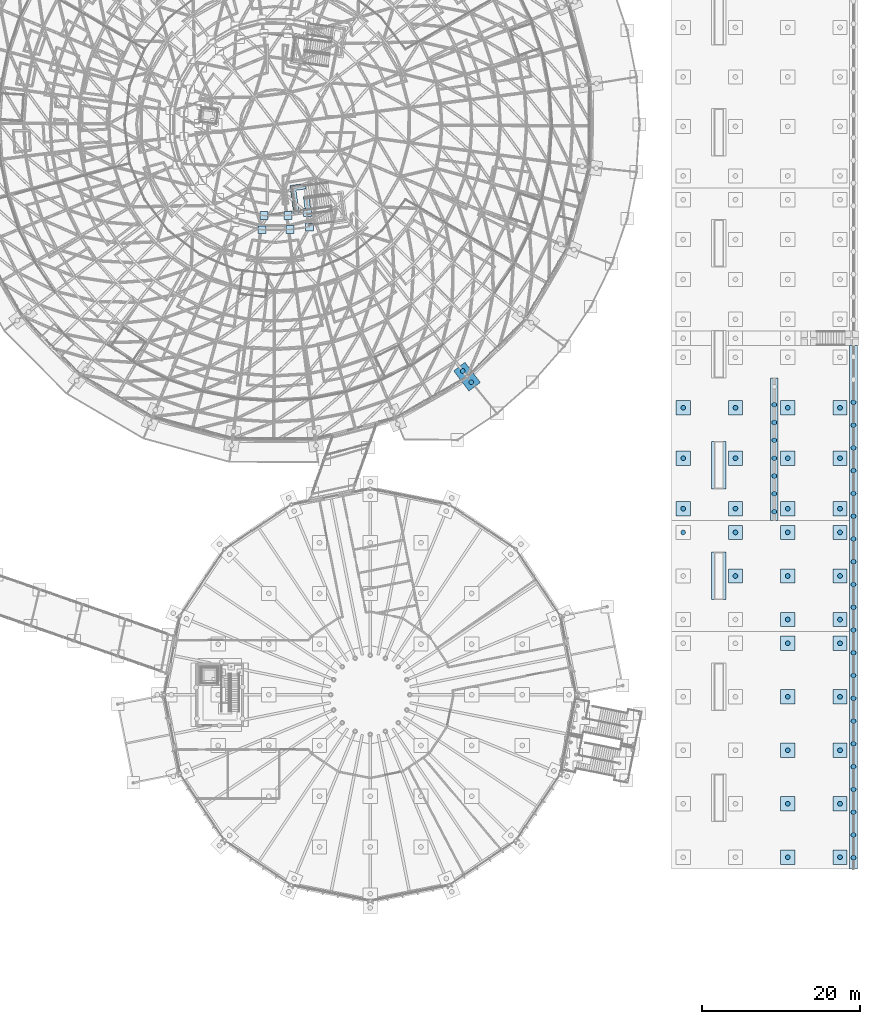
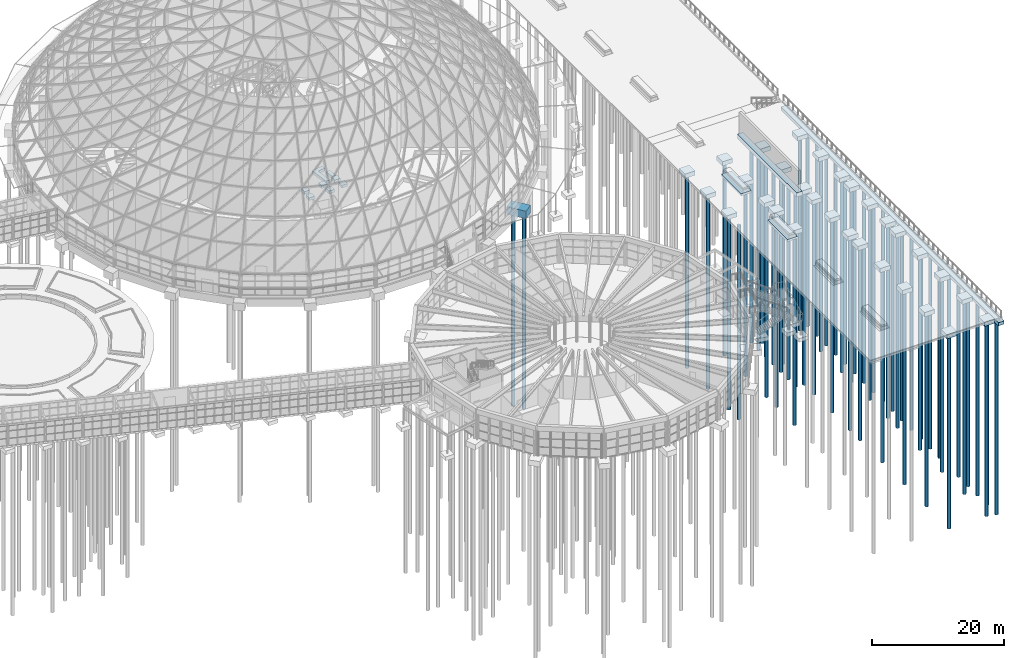
# One storey, part 9 of 226: 61 piles, 43 footings.
"""IFC4 building model written with IfcOpenShell, lengths in metres."""

from ifc_helpers import new_model, si_unit, direction, frame, origin, origin_2d, place, context, subcontext, project, spatial, polyline, circle, outline, extrude, material, layer, layer_set, material_profile, profile_set, type_object, element, save


model = new_model("IFC4")

# Units and contexts
model_context = context("Model", 3, precision=1e-05, world=origin(), true_north=direction((0.0, 1.0)))
body_context = subcontext(model_context, "Body", "Model", "MODEL_VIEW")
ifc_project = project(units=[si_unit("LENGTHUNIT", "METRE"), si_unit("AREAUNIT", "SQUARE_METRE"), si_unit("VOLUMEUNIT", "CUBIC_METRE"), si_unit("PLANEANGLEUNIT", "RADIAN"), si_unit("MASSUNIT", "GRAM", prefix="KILO")], contexts=[model_context])

# Site, building, storey
site_placement = place(None, origin())
site = spatial("IfcSite", under=ifc_project, at=site_placement, CompositionType="ELEMENT")
building_placement = place(site_placement, origin())
building = spatial("IfcBuilding", under=site, at=building_placement, Name="Ceibo Conservatory and Research Tower", CompositionType="ELEMENT")
storey_placement = place(building_placement, origin())
storey = spatial("IfcBuildingStorey", under=building, at=storey_placement, Name="L00", CompositionType="ELEMENT", Elevation=0.0)

# Piles
ifc_material_1 = material(Name="Concrete C35/45", Category="concrete")
ifc_material_profile = material_profile(ifc_material_1, circle(Radius=0.300048828125, at=origin_2d()), Name="RC D600")
ifc_profile_set = profile_set([ifc_material_profile], Name="Concrete C35/45")
pile_type = type_object("IfcPileType", Name="Bored pile D600", PredefinedType="BORED", material=ifc_profile_set)
for number, where, z_axis, x_axis, name in (
    (1, (179.6669921875, 76.876220703125, -1.300048828125), (0.0, 0.0, -1.0), (1.0, 0.0, 0.0), "Pile DA.CAP.L00.21 01"),
    (2, (180.756591796875, 75.443603515625, -1.300048828125), (0.0, 0.0, -1.0), (1.0, 0.0, 0.0), "Pile DA.CAP.L00.21 02"),
    (3, (219.0, 59.125, -0.699951171875), (0.0, 0.0, -1.0), (1.0, 0.0, 0.0), "Pile SITE.STRIP.WALL.L00.RELIEF 01"),
    (4, (219.0, 61.375, -0.699951171875), (0.0, 0.0, -1.0), (1.0, 0.0, 0.0), "Pile SITE.STRIP.WALL.L00.RELIEF 02"),
    (5, (219.0, 63.625, -0.699951171875), (0.0, 0.0, -1.0), (1.0, 0.0, 0.0), "Pile SITE.STRIP.WALL.L00.RELIEF 03"),
    (6, (219.0, 65.875, -0.699951171875), (0.0, 0.0, -1.0), (1.0, 0.0, 0.0), "Pile SITE.STRIP.WALL.L00.RELIEF 04"),
    (7, (219.0, 68.125, -0.699951171875), (0.0, 0.0, -1.0), (1.0, 0.0, 0.0), "Pile SITE.STRIP.WALL.L00.RELIEF 05"),
    (8, (219.0, 70.375, -0.699951171875), (0.0, 0.0, -1.0), (1.0, 0.0, 0.0), "Pile SITE.STRIP.WALL.L00.RELIEF 06"),
    (9, (219.0, 72.625, -0.699951171875), (0.0, 0.0, -1.0), (1.0, 0.0, 0.0), "Pile SITE.STRIP.WALL.L00.RELIEF 07"),
    (10, (229.0, 15.43701171875, -1.39990234375), (0.0, 0.0, -1.0), (1.0, 0.0, 0.0), "Pile SITE.STRIP.WALL.L00.QUAY.S 01"),
    (11, (229.0, 18.310791015625, -1.39990234375), (0.0, 0.0, -1.0), (1.0, 0.0, 0.0), "Pile SITE.STRIP.WALL.L00.QUAY.S 02"),
    (12, (229.0, 21.184814453125, -1.39990234375), (0.0, 0.0, -1.0), (1.0, 0.0, 0.0), "Pile SITE.STRIP.WALL.L00.QUAY.S 03"),
    (13, (229.0, 24.05859375, -1.39990234375), (0.0, 0.0, -1.0), (1.0, 0.0, 0.0), "Pile SITE.STRIP.WALL.L00.QUAY.S 04"),
    (14, (229.0, 26.9326171875, -1.39990234375), (0.0, 0.0, -1.0), (1.0, 0.0, 0.0), "Pile SITE.STRIP.WALL.L00.QUAY.S 05"),
    (15, (229.0, 29.806640625, -1.39990234375), (0.0, 0.0, -1.0), (1.0, 0.0, 0.0), "Pile SITE.STRIP.WALL.L00.QUAY.S 06"),
    (16, (229.0, 32.680419921875, -1.39990234375), (0.0, 0.0, -1.0), (1.0, 0.0, 0.0), "Pile SITE.STRIP.WALL.L00.QUAY.S 07"),
    (17, (229.0, 35.554443359375, -1.39990234375), (0.0, 0.0, -1.0), (1.0, 0.0, 0.0), "Pile SITE.STRIP.WALL.L00.QUAY.S 08"),
    (18, (229.0, 38.42822265625, -1.39990234375), (0.0, 0.0, -1.0), (1.0, 0.0, 0.0), "Pile SITE.STRIP.WALL.L00.QUAY.S 09"),
    (19, (229.0, 41.30224609375, -1.39990234375), (0.0, 0.0, -1.0), (1.0, 0.0, 0.0), "Pile SITE.STRIP.WALL.L00.QUAY.S 10"),
    (20, (229.0, 44.176025390625, -1.39990234375), (0.0, 0.0, -1.0), (1.0, 0.0, 0.0), "Pile SITE.STRIP.WALL.L00.QUAY.S 11"),
    (21, (229.0, 47.050048828125, -1.39990234375), (0.0, 0.0, -1.0), (1.0, 0.0, 0.0), "Pile SITE.STRIP.WALL.L00.QUAY.S 12"),
    (22, (229.0, 49.923828125, -1.39990234375), (0.0, 0.0, -1.0), (1.0, 0.0, 0.0), "Pile SITE.STRIP.WALL.L00.QUAY.S 13"),
    (23, (229.0, 52.7978515625, -1.39990234375), (0.0, 0.0, -1.0), (1.0, 0.0, 0.0), "Pile SITE.STRIP.WALL.L00.QUAY.S 14"),
    (24, (229.0, 55.671630859375, -1.39990234375), (0.0, 0.0, -1.0), (1.0, 0.0, 0.0), "Pile SITE.STRIP.WALL.L00.QUAY.S 15"),
    (25, (229.0, 58.545654296875, -1.39990234375), (0.0, 0.0, -1.0), (1.0, 0.0, 0.0), "Pile SITE.STRIP.WALL.L00.QUAY.S 16"),
    (26, (229.0, 61.419677734375, -1.39990234375), (0.0, 0.0, -1.0), (1.0, 0.0, 0.0), "Pile SITE.STRIP.WALL.L00.QUAY.S 17"),
    (27, (229.0, 64.29345703125, -1.39990234375), (0.0, 0.0, -1.0), (1.0, 0.0, 0.0), "Pile SITE.STRIP.WALL.L00.QUAY.S 18"),
    (28, (229.0, 67.16748046875, -1.39990234375), (0.0, 0.0, -1.0), (1.0, 0.0, 0.0), "Pile SITE.STRIP.WALL.L00.QUAY.S 19"),
    (29, (229.0, 70.041259765625, -1.39990234375), (0.0, 0.0, -1.0), (1.0, 0.0, 0.0), "Pile SITE.STRIP.WALL.L00.QUAY.S 20"),
    (30, (229.0, 72.915283203125, -1.39990234375), (0.0, 0.0, -1.0), (1.0, 0.0, 0.0), "Pile SITE.STRIP.WALL.L00.QUAY.S 21"),
    (31, (220.699951171875, 15.5, -1.14990234375), (0.0, 0.0, -1.0), (1.0, 0.0, 0.0), "Pile SITE.QDECK.CAP.N1.03 01"),
    (32, (227.300048828125, 15.5, -1.14990234375), (0.0, 0.0, -1.0), (1.0, 0.0, 0.0), "Pile SITE.QDECK.CAP.N1.04 01"),
    (33, (220.699951171875, 22.25, -1.14990234375), (0.0, 0.0, -1.0), (1.0, 0.0, 0.0), "Pile SITE.QDECK.CAP.N1.07 01"),
    (34, (227.300048828125, 22.25, -1.14990234375), (0.0, 0.0, -1.0), (1.0, 0.0, 0.0), "Pile SITE.QDECK.CAP.N1.08 01"),
    (35, (220.699951171875, 29.0, -1.14990234375), (0.0, 0.0, -1.0), (1.0, 0.0, 0.0), "Pile SITE.QDECK.CAP.N1.11 01"),
    (36, (227.300048828125, 29.0, -1.14990234375), (0.0, 0.0, -1.0), (1.0, 0.0, 0.0), "Pile SITE.QDECK.CAP.N1.12 01"),
    (37, (220.699951171875, 35.75, -1.14990234375), (0.0, 0.0, -1.0), (1.0, 0.0, 0.0), "Pile SITE.QDECK.CAP.N1.15 01"),
    (38, (227.300048828125, 35.75, -1.14990234375), (0.0, 0.0, -1.0), (1.0, 0.0, 0.0), "Pile SITE.QDECK.CAP.N1.16 01"),
    (39, (220.699951171875, 42.5, -1.14990234375), (0.0, 0.0, -1.0), (1.0, 0.0, 0.0), "Pile SITE.QDECK.CAP.N1.19 01"),
    (40, (227.300048828125, 42.5, -1.14990234375), (0.0, 0.0, -1.0), (1.0, 0.0, 0.0), "Pile SITE.QDECK.CAP.N1.20 01"),
    (41, (220.699951171875, 45.5, -1.14990234375), (0.0, 0.0, -1.0), (1.0, 0.0, 0.0), "Pile SITE.QDECK.CAP.N2.03 01"),
    (42, (227.300048828125, 45.5, -1.14990234375), (0.0, 0.0, -1.0), (1.0, 0.0, 0.0), "Pile SITE.QDECK.CAP.N2.04 01"),
    (43, (214.10009765625, 51.0, -1.14990234375), (0.0, 0.0, -1.0), (1.0, 0.0, 0.0), "Pile SITE.QDECK.CAP.N2.06 01"),
    (44, (220.699951171875, 51.0, -1.14990234375), (0.0, 0.0, -1.0), (1.0, 0.0, 0.0), "Pile SITE.QDECK.CAP.N2.07 01"),
    (45, (227.300048828125, 51.0, -1.14990234375), (0.0, 0.0, -1.0), (1.0, 0.0, 0.0), "Pile SITE.QDECK.CAP.N2.08 01"),
    (46, (207.5, 56.5, -1.14990234375), (0.0, 0.0, -1.0), (1.0, 0.0, 0.0), "Pile SITE.QDECK.CAP.N2.09 01"),
    (47, (214.10009765625, 56.5, -1.14990234375), (0.0, 0.0, -1.0), (1.0, 0.0, 0.0), "Pile SITE.QDECK.CAP.N2.10 01"),
    (48, (220.699951171875, 56.5, -1.14990234375), (0.0, 0.0, -1.0), (1.0, 0.0, 0.0), "Pile SITE.QDECK.CAP.N2.11 01"),
    (49, (227.300048828125, 56.5, -1.14990234375), (0.0, 0.0, -1.0), (1.0, 0.0, 0.0), "Pile SITE.QDECK.CAP.N2.12 01"),
    (50, (207.5, 59.5, -1.14990234375), (0.0, 0.0, -1.0), (1.0, 0.0, 0.0), "Pile SITE.QDECK.CAP.N3.01 01"),
    (51, (214.10009765625, 59.5, -1.14990234375), (0.0, 0.0, -1.0), (1.0, 0.0, 0.0), "Pile SITE.QDECK.CAP.N3.02 01"),
    (52, (220.699951171875, 59.5, -1.14990234375), (0.0, 0.0, -1.0), (1.0, 0.0, 0.0), "Pile SITE.QDECK.CAP.N3.03 01"),
    (53, (227.300048828125, 59.5, -1.14990234375), (0.0, 0.0, -1.0), (1.0, 0.0, 0.0), "Pile SITE.QDECK.CAP.N3.04 01"),
    (54, (207.5, 65.86669921875, -1.14990234375), (0.0, 0.0, -1.0), (1.0, 0.0, 0.0), "Pile SITE.QDECK.CAP.N3.05 01"),
    (55, (214.10009765625, 65.86669921875, -1.14990234375), (0.0, 0.0, -1.0), (1.0, 0.0, 0.0), "Pile SITE.QDECK.CAP.N3.06 01"),
    (56, (220.699951171875, 65.86669921875, -1.14990234375), (0.0, 0.0, -1.0), (1.0, 0.0, 0.0), "Pile SITE.QDECK.CAP.N3.07 01"),
    (57, (227.300048828125, 65.86669921875, -1.14990234375), (0.0, 0.0, -1.0), (1.0, 0.0, 0.0), "Pile SITE.QDECK.CAP.N3.08 01"),
    (58, (207.5, 72.2333984375, -1.14990234375), (0.0, 0.0, -1.0), (1.0, 0.0, 0.0), "Pile SITE.QDECK.CAP.N3.09 01"),
    (59, (214.10009765625, 72.2333984375, -1.14990234375), (0.0, 0.0, -1.0), (1.0, 0.0, 0.0), "Pile SITE.QDECK.CAP.N3.10 01"),
    (60, (220.699951171875, 72.2333984375, -1.14990234375), (0.0, 0.0, -1.0), (1.0, 0.0, 0.0), "Pile SITE.QDECK.CAP.N3.11 01"),
    (61, (227.300048828125, 72.2333984375, -1.14990234375), (0.0, 0.0, -1.0), (1.0, 0.0, 0.0), "Pile SITE.QDECK.CAP.N3.12 01"),
):
    element("IfcPile", number, at=place(storey_placement, frame(where, z_axis=z_axis, x_axis=x_axis)), inside=storey, type_object=pile_type, Name=name, PredefinedType="BORED", context=body_context, shape_type="SweptSolid", body=[
        extrude(circle(Radius=0.300048828125, at=origin_2d()), origin(), (0.0, 0.0, 1.0), 36.0),
    ])

# Footings
ifc_material_2 = material(Name="Concrete C40/50", Category="concrete")
ifc_layer_1 = layer(ifc_material_2, 0.800048828125)
ifc_layer_set_1 = layer_set([ifc_layer_1], Name="Concrete C40/50")
footing_type_1 = type_object("IfcFootingType", Name="Pile cap 1800x1800x800", PredefinedType="PILE_CAP", material=ifc_layer_set_1)
footing_1_placement = place(storey_placement, frame((0.0, 0.0, -1.25)))
element("IfcFooting", 62, at=footing_1_placement, inside=storey, type_object=footing_type_1, Name="Quay deck pile cap N1-03", PredefinedType="PILE_CAP", context=body_context, shape_type="SweptSolid", body=[
    extrude(outline(polyline([(219.800048828125, 14.60009765625), (221.60009765625, 14.60009765625), (221.60009765625, 16.39990234375), (219.800048828125, 16.39990234375), (219.800048828125, 14.60009765625)])), origin(), (0.0, 0.0, 1.0), 0.800048828125),
])
footing_2_placement = place(storey_placement, frame((0.0, 0.0, -1.25)))
element("IfcFooting", 63, at=footing_2_placement, inside=storey, type_object=footing_type_1, Name="Quay deck pile cap N1-04", PredefinedType="PILE_CAP", context=body_context, shape_type="SweptSolid", body=[
    extrude(outline(polyline([(226.39990234375, 14.60009765625), (228.199951171875, 14.60009765625), (228.199951171875, 16.39990234375), (226.39990234375, 16.39990234375), (226.39990234375, 14.60009765625)])), origin(), (0.0, 0.0, 1.0), 0.800048828125),
])
footing_3_placement = place(storey_placement, frame((0.0, 0.0, -1.25)))
element("IfcFooting", 64, at=footing_3_placement, inside=storey, type_object=footing_type_1, Name="Quay deck pile cap N1-07", PredefinedType="PILE_CAP", context=body_context, shape_type="SweptSolid", body=[
    extrude(outline(polyline([(219.800048828125, 21.35009765625), (221.60009765625, 21.35009765625), (221.60009765625, 23.14990234375), (219.800048828125, 23.14990234375), (219.800048828125, 21.35009765625)])), origin(), (0.0, 0.0, 1.0), 0.800048828125),
])
footing_4_placement = place(storey_placement, frame((0.0, 0.0, -1.25)))
element("IfcFooting", 65, at=footing_4_placement, inside=storey, type_object=footing_type_1, Name="Quay deck pile cap N1-08", PredefinedType="PILE_CAP", context=body_context, shape_type="SweptSolid", body=[
    extrude(outline(polyline([(226.39990234375, 21.35009765625), (228.199951171875, 21.35009765625), (228.199951171875, 23.14990234375), (226.39990234375, 23.14990234375), (226.39990234375, 21.35009765625)])), origin(), (0.0, 0.0, 1.0), 0.800048828125),
])
footing_5_placement = place(storey_placement, frame((0.0, 0.0, -1.25)))
element("IfcFooting", 66, at=footing_5_placement, inside=storey, type_object=footing_type_1, Name="Quay deck pile cap N1-11", PredefinedType="PILE_CAP", context=body_context, shape_type="SweptSolid", body=[
    extrude(outline(polyline([(219.800048828125, 28.10009765625), (221.60009765625, 28.10009765625), (221.60009765625, 29.89990234375), (219.800048828125, 29.89990234375), (219.800048828125, 28.10009765625)])), origin(), (0.0, 0.0, 1.0), 0.800048828125),
])
footing_6_placement = place(storey_placement, frame((0.0, 0.0, -1.25)))
element("IfcFooting", 67, at=footing_6_placement, inside=storey, type_object=footing_type_1, Name="Quay deck pile cap N1-12", PredefinedType="PILE_CAP", context=body_context, shape_type="SweptSolid", body=[
    extrude(outline(polyline([(226.39990234375, 28.10009765625), (228.199951171875, 28.10009765625), (228.199951171875, 29.89990234375), (226.39990234375, 29.89990234375), (226.39990234375, 28.10009765625)])), origin(), (0.0, 0.0, 1.0), 0.800048828125),
])
footing_7_placement = place(storey_placement, frame((0.0, 0.0, -1.25)))
element("IfcFooting", 68, at=footing_7_placement, inside=storey, type_object=footing_type_1, Name="Quay deck pile cap N1-15", PredefinedType="PILE_CAP", context=body_context, shape_type="SweptSolid", body=[
    extrude(outline(polyline([(219.800048828125, 34.85009765625), (221.60009765625, 34.85009765625), (221.60009765625, 36.64990234375), (219.800048828125, 36.64990234375), (219.800048828125, 34.85009765625)])), origin(), (0.0, 0.0, 1.0), 0.800048828125),
])
footing_8_placement = place(storey_placement, frame((0.0, 0.0, -1.25)))
element("IfcFooting", 69, at=footing_8_placement, inside=storey, type_object=footing_type_1, Name="Quay deck pile cap N1-16", PredefinedType="PILE_CAP", context=body_context, shape_type="SweptSolid", body=[
    extrude(outline(polyline([(226.39990234375, 34.85009765625), (228.199951171875, 34.85009765625), (228.199951171875, 36.64990234375), (226.39990234375, 36.64990234375), (226.39990234375, 34.85009765625)])), origin(), (0.0, 0.0, 1.0), 0.800048828125),
])
footing_9_placement = place(storey_placement, frame((0.0, 0.0, -1.25)))
element("IfcFooting", 70, at=footing_9_placement, inside=storey, type_object=footing_type_1, Name="Quay deck pile cap N1-19", PredefinedType="PILE_CAP", context=body_context, shape_type="SweptSolid", body=[
    extrude(outline(polyline([(219.800048828125, 41.60009765625), (221.60009765625, 41.60009765625), (221.60009765625, 43.39990234375), (219.800048828125, 43.39990234375), (219.800048828125, 41.60009765625)])), origin(), (0.0, 0.0, 1.0), 0.800048828125),
])
footing_10_placement = place(storey_placement, frame((0.0, 0.0, -1.25)))
element("IfcFooting", 71, at=footing_10_placement, inside=storey, type_object=footing_type_1, Name="Quay deck pile cap N1-20", PredefinedType="PILE_CAP", context=body_context, shape_type="SweptSolid", body=[
    extrude(outline(polyline([(226.39990234375, 41.60009765625), (228.199951171875, 41.60009765625), (228.199951171875, 43.39990234375), (226.39990234375, 43.39990234375), (226.39990234375, 41.60009765625)])), origin(), (0.0, 0.0, 1.0), 0.800048828125),
])
footing_11_placement = place(storey_placement, frame((0.0, 0.0, -1.25)))
element("IfcFooting", 72, at=footing_11_placement, inside=storey, type_object=footing_type_1, Name="Quay deck pile cap N2-03", PredefinedType="PILE_CAP", context=body_context, shape_type="SweptSolid", body=[
    extrude(outline(polyline([(219.800048828125, 44.60009765625), (221.60009765625, 44.60009765625), (221.60009765625, 46.39990234375), (219.800048828125, 46.39990234375), (219.800048828125, 44.60009765625)])), origin(), (0.0, 0.0, 1.0), 0.800048828125),
])
footing_12_placement = place(storey_placement, frame((0.0, 0.0, -1.25)))
element("IfcFooting", 73, at=footing_12_placement, inside=storey, type_object=footing_type_1, Name="Quay deck pile cap N2-04", PredefinedType="PILE_CAP", context=body_context, shape_type="SweptSolid", body=[
    extrude(outline(polyline([(226.39990234375, 44.60009765625), (228.199951171875, 44.60009765625), (228.199951171875, 46.39990234375), (226.39990234375, 46.39990234375), (226.39990234375, 44.60009765625)])), origin(), (0.0, 0.0, 1.0), 0.800048828125),
])
footing_13_placement = place(storey_placement, frame((0.0, 0.0, -1.25)))
element("IfcFooting", 74, at=footing_13_placement, inside=storey, type_object=footing_type_1, Name="Quay deck pile cap N2-06", PredefinedType="PILE_CAP", context=body_context, shape_type="SweptSolid", body=[
    extrude(outline(polyline([(213.199951171875, 50.10009765625), (215.0, 50.10009765625), (215.0, 51.89990234375), (213.199951171875, 51.89990234375), (213.199951171875, 50.10009765625)])), origin(), (0.0, 0.0, 1.0), 0.800048828125),
])
footing_14_placement = place(storey_placement, frame((0.0, 0.0, -1.25)))
element("IfcFooting", 75, at=footing_14_placement, inside=storey, type_object=footing_type_1, Name="Quay deck pile cap N2-07", PredefinedType="PILE_CAP", context=body_context, shape_type="SweptSolid", body=[
    extrude(outline(polyline([(219.800048828125, 50.10009765625), (221.60009765625, 50.10009765625), (221.60009765625, 51.89990234375), (219.800048828125, 51.89990234375), (219.800048828125, 50.10009765625)])), origin(), (0.0, 0.0, 1.0), 0.800048828125),
])
footing_15_placement = place(storey_placement, frame((0.0, 0.0, -1.25)))
element("IfcFooting", 76, at=footing_15_placement, inside=storey, type_object=footing_type_1, Name="Quay deck pile cap N2-08", PredefinedType="PILE_CAP", context=body_context, shape_type="SweptSolid", body=[
    extrude(outline(polyline([(226.39990234375, 50.10009765625), (228.199951171875, 50.10009765625), (228.199951171875, 51.89990234375), (226.39990234375, 51.89990234375), (226.39990234375, 50.10009765625)])), origin(), (0.0, 0.0, 1.0), 0.800048828125),
])
footing_16_placement = place(storey_placement, frame((0.0, 0.0, -1.25)))
element("IfcFooting", 77, at=footing_16_placement, inside=storey, type_object=footing_type_1, Name="Quay deck pile cap N2-10", PredefinedType="PILE_CAP", context=body_context, shape_type="SweptSolid", body=[
    extrude(outline(polyline([(213.199951171875, 55.60009765625), (215.0, 55.60009765625), (215.0, 57.39990234375), (213.199951171875, 57.39990234375), (213.199951171875, 55.60009765625)])), origin(), (0.0, 0.0, 1.0), 0.800048828125),
])
footing_17_placement = place(storey_placement, frame((0.0, 0.0, -1.25)))
element("IfcFooting", 78, at=footing_17_placement, inside=storey, type_object=footing_type_1, Name="Quay deck pile cap N2-11", PredefinedType="PILE_CAP", context=body_context, shape_type="SweptSolid", body=[
    extrude(outline(polyline([(219.800048828125, 55.60009765625), (221.60009765625, 55.60009765625), (221.60009765625, 57.39990234375), (219.800048828125, 57.39990234375), (219.800048828125, 55.60009765625)])), origin(), (0.0, 0.0, 1.0), 0.800048828125),
])
footing_18_placement = place(storey_placement, frame((0.0, 0.0, -1.25)))
element("IfcFooting", 79, at=footing_18_placement, inside=storey, type_object=footing_type_1, Name="Quay deck pile cap N2-12", PredefinedType="PILE_CAP", context=body_context, shape_type="SweptSolid", body=[
    extrude(outline(polyline([(226.39990234375, 55.60009765625), (228.199951171875, 55.60009765625), (228.199951171875, 57.39990234375), (226.39990234375, 57.39990234375), (226.39990234375, 55.60009765625)])), origin(), (0.0, 0.0, 1.0), 0.800048828125),
])
footing_19_placement = place(storey_placement, frame((0.0, 0.0, -1.25)))
element("IfcFooting", 80, at=footing_19_placement, inside=storey, type_object=footing_type_1, Name="Quay deck pile cap N3-01", PredefinedType="PILE_CAP", context=body_context, shape_type="SweptSolid", body=[
    extrude(outline(polyline([(206.60009765625, 58.60009765625), (208.39990234375, 58.60009765625), (208.39990234375, 60.39990234375), (206.60009765625, 60.39990234375), (206.60009765625, 58.60009765625)])), origin(), (0.0, 0.0, 1.0), 0.800048828125),
])
footing_20_placement = place(storey_placement, frame((0.0, 0.0, -1.25)))
element("IfcFooting", 81, at=footing_20_placement, inside=storey, type_object=footing_type_1, Name="Quay deck pile cap N3-02", PredefinedType="PILE_CAP", context=body_context, shape_type="SweptSolid", body=[
    extrude(outline(polyline([(213.199951171875, 58.60009765625), (215.0, 58.60009765625), (215.0, 60.39990234375), (213.199951171875, 60.39990234375), (213.199951171875, 58.60009765625)])), origin(), (0.0, 0.0, 1.0), 0.800048828125),
])
footing_21_placement = place(storey_placement, frame((0.0, 0.0, -1.25)))
element("IfcFooting", 82, at=footing_21_placement, inside=storey, type_object=footing_type_1, Name="Quay deck pile cap N3-03", PredefinedType="PILE_CAP", context=body_context, shape_type="SweptSolid", body=[
    extrude(outline(polyline([(219.800048828125, 58.60009765625), (221.60009765625, 58.60009765625), (221.60009765625, 60.39990234375), (219.800048828125, 60.39990234375), (219.800048828125, 58.60009765625)])), origin(), (0.0, 0.0, 1.0), 0.800048828125),
])
footing_22_placement = place(storey_placement, frame((0.0, 0.0, -1.25)))
element("IfcFooting", 83, at=footing_22_placement, inside=storey, type_object=footing_type_1, Name="Quay deck pile cap N3-04", PredefinedType="PILE_CAP", context=body_context, shape_type="SweptSolid", body=[
    extrude(outline(polyline([(226.39990234375, 58.60009765625), (228.199951171875, 58.60009765625), (228.199951171875, 60.39990234375), (226.39990234375, 60.39990234375), (226.39990234375, 58.60009765625)])), origin(), (0.0, 0.0, 1.0), 0.800048828125),
])
footing_23_placement = place(storey_placement, frame((0.0, 0.0, -1.25)))
element("IfcFooting", 84, at=footing_23_placement, inside=storey, type_object=footing_type_1, Name="Quay deck pile cap N3-05", PredefinedType="PILE_CAP", context=body_context, shape_type="SweptSolid", body=[
    extrude(outline(polyline([(206.60009765625, 64.966552734375), (208.39990234375, 64.966552734375), (208.39990234375, 66.7666015625), (206.60009765625, 66.7666015625), (206.60009765625, 64.966552734375)])), origin(), (0.0, 0.0, 1.0), 0.800048828125),
])
footing_24_placement = place(storey_placement, frame((0.0, 0.0, -1.25)))
element("IfcFooting", 85, at=footing_24_placement, inside=storey, type_object=footing_type_1, Name="Quay deck pile cap N3-06", PredefinedType="PILE_CAP", context=body_context, shape_type="SweptSolid", body=[
    extrude(outline(polyline([(213.199951171875, 64.966552734375), (215.0, 64.966552734375), (215.0, 66.7666015625), (213.199951171875, 66.7666015625), (213.199951171875, 64.966552734375)])), origin(), (0.0, 0.0, 1.0), 0.800048828125),
])
footing_25_placement = place(storey_placement, frame((0.0, 0.0, -1.25)))
element("IfcFooting", 86, at=footing_25_placement, inside=storey, type_object=footing_type_1, Name="Quay deck pile cap N3-07", PredefinedType="PILE_CAP", context=body_context, shape_type="SweptSolid", body=[
    extrude(outline(polyline([(219.800048828125, 64.966552734375), (221.60009765625, 64.966552734375), (221.60009765625, 66.7666015625), (219.800048828125, 66.7666015625), (219.800048828125, 64.966552734375)])), origin(), (0.0, 0.0, 1.0), 0.800048828125),
])
footing_26_placement = place(storey_placement, frame((0.0, 0.0, -1.25)))
element("IfcFooting", 87, at=footing_26_placement, inside=storey, type_object=footing_type_1, Name="Quay deck pile cap N3-08", PredefinedType="PILE_CAP", context=body_context, shape_type="SweptSolid", body=[
    extrude(outline(polyline([(226.39990234375, 64.966552734375), (228.199951171875, 64.966552734375), (228.199951171875, 66.7666015625), (226.39990234375, 66.7666015625), (226.39990234375, 64.966552734375)])), origin(), (0.0, 0.0, 1.0), 0.800048828125),
])
footing_27_placement = place(storey_placement, frame((0.0, 0.0, -1.25)))
element("IfcFooting", 88, at=footing_27_placement, inside=storey, type_object=footing_type_1, Name="Quay deck pile cap N3-09", PredefinedType="PILE_CAP", context=body_context, shape_type="SweptSolid", body=[
    extrude(outline(polyline([(206.60009765625, 71.333251953125), (208.39990234375, 71.333251953125), (208.39990234375, 73.13330078125), (206.60009765625, 73.13330078125), (206.60009765625, 71.333251953125)])), origin(), (0.0, 0.0, 1.0), 0.800048828125),
])
footing_28_placement = place(storey_placement, frame((0.0, 0.0, -1.25)))
element("IfcFooting", 89, at=footing_28_placement, inside=storey, type_object=footing_type_1, Name="Quay deck pile cap N3-10", PredefinedType="PILE_CAP", context=body_context, shape_type="SweptSolid", body=[
    extrude(outline(polyline([(213.199951171875, 71.333251953125), (215.0, 71.333251953125), (215.0, 73.13330078125), (213.199951171875, 73.13330078125), (213.199951171875, 71.333251953125)])), origin(), (0.0, 0.0, 1.0), 0.800048828125),
])
footing_29_placement = place(storey_placement, frame((0.0, 0.0, -1.25)))
element("IfcFooting", 90, at=footing_29_placement, inside=storey, type_object=footing_type_1, Name="Quay deck pile cap N3-11", PredefinedType="PILE_CAP", context=body_context, shape_type="SweptSolid", body=[
    extrude(outline(polyline([(219.800048828125, 71.333251953125), (221.60009765625, 71.333251953125), (221.60009765625, 73.13330078125), (219.800048828125, 73.13330078125), (219.800048828125, 71.333251953125)])), origin(), (0.0, 0.0, 1.0), 0.800048828125),
])
footing_30_placement = place(storey_placement, frame((0.0, 0.0, -1.25)))
element("IfcFooting", 91, at=footing_30_placement, inside=storey, type_object=footing_type_1, Name="Quay deck pile cap N3-12", PredefinedType="PILE_CAP", context=body_context, shape_type="SweptSolid", body=[
    extrude(outline(polyline([(226.39990234375, 71.333251953125), (228.199951171875, 71.333251953125), (228.199951171875, 73.13330078125), (226.39990234375, 73.13330078125), (226.39990234375, 71.333251953125)])), origin(), (0.0, 0.0, 1.0), 0.800048828125),
])
ifc_layer_2 = layer(ifc_material_2, 1.39990234375)
ifc_layer_set_2 = layer_set([ifc_layer_2], Name="Concrete C40/50")
footing_type_2 = type_object("IfcFootingType", Name="Pile cap 3200x1800x1400", PredefinedType="PILE_CAP", material=ifc_layer_set_2)
footing_31_placement = place(storey_placement, frame((178.52685546875, 76.888671875, -1.39990234375), z_axis=(0.0, 0.0, 1.0), x_axis=(0.605293946101, -0.796002034428, 0.0)))
element("IfcFooting", 92, at=footing_31_placement, inside=storey, type_object=footing_type_2, Name="Pile cap DA.CAP.L00.21", PredefinedType="PILE_CAP", context=body_context, shape_type="SweptSolid", body=[
    extrude(outline(polyline([(0.0, 0.0), (3.199951171875, 0.0), (3.199951171875, 1.800048828125), (0.0, 1.800048828125), (0.0, 0.0)])), origin(), (0.0, 0.0, 1.0), 1.39990234375),
])
ifc_layer_3 = layer(ifc_material_2, 0.5)
ifc_layer_set_3 = layer_set([ifc_layer_3], Name="Concrete C40/50")
footing_type_3 = type_object("IfcFootingType", Name="Stair support footing 500", PredefinedType="STRIP_FOOTING", material=ifc_layer_set_3)
footing_32_placement = place(storey_placement, frame((0.0, 0.0, -0.75)))
element("IfcFooting", 93, at=footing_32_placement, inside=storey, type_object=footing_type_3, Name="Stair support footing 2.11", PredefinedType="STRIP_FOOTING", context=body_context, shape_type="SweptSolid", body=[
    extrude(outline(polyline([(158.188720703125, 100.330078125), (157.84228515625, 100.28125), (158.34326171875, 96.71630859375), (159.036376953125, 96.813720703125), (158.6328125, 99.685546875), (159.920166015625, 99.866455078125), (159.82275390625, 100.5595703125), (158.188720703125, 100.330078125)])), origin(), (0.0, 0.0, 1.0), 0.5),
])
footing_33_placement = place(storey_placement, frame((0.0, 0.0, -0.75)))
element("IfcFooting", 94, at=footing_33_placement, inside=storey, type_object=footing_type_3, Name="Stair support footing 2.12", PredefinedType="STRIP_FOOTING", context=body_context, shape_type="SweptSolid", body=[
    extrude(outline(polyline([(159.55029296875, 98.905517578125), (159.82861328125, 96.925048828125), (160.521728515625, 97.0224609375), (160.243408203125, 99.0029296875), (159.55029296875, 98.905517578125)])), origin(), (0.0, 0.0, 1.0), 0.5),
])
ifc_layer_4 = layer(ifc_material_2, 0.60009765625)
ifc_layer_set_4 = layer_set([ifc_layer_4], Name="Concrete C40/50")
footing_type_4 = type_object("IfcFootingType", Name="Strip footing 1000x600", PredefinedType="STRIP_FOOTING", material=ifc_layer_set_4)
footing_34_placement = place(storey_placement, frame((0.0, 0.0, -1.5)))
element("IfcFooting", 95, at=footing_34_placement, inside=storey, type_object=footing_type_4, Name="Strip footing SITE.STRIP.WALL.L00.QUAY.S", PredefinedType="STRIP_FOOTING", context=body_context, shape_type="SweptSolid", body=[
    extrude(outline(polyline([(229.5, 14.0), (229.5, 80.10009765625), (228.5, 80.10009765625), (228.5, 14.0), (229.5, 14.0)])), origin(), (0.0, 0.0, 1.0), 0.60009765625),
])
ifc_layer_5 = layer(ifc_material_2, 0.800048828125)
ifc_layer_set_5 = layer_set([ifc_layer_5], Name="Concrete C40/50")
footing_type_5 = type_object("IfcFootingType", Name="Strip footing 1000x800", PredefinedType="STRIP_FOOTING", material=ifc_layer_set_5)
footing_35_placement = place(storey_placement, frame((0.0, 0.0, -0.800048828125)))
element("IfcFooting", 96, at=footing_35_placement, inside=storey, type_object=footing_type_5, Name="Strip footing SITE.STRIP.WALL.L00.RELIEF", PredefinedType="STRIP_FOOTING", context=body_context, shape_type="SweptSolid", body=[
    extrude(outline(polyline([(219.5, 58.0), (219.5, 76.0), (218.5, 76.0), (218.5, 58.0), (219.5, 58.0)])), origin(), (0.0, 0.0, 1.0), 0.800048828125),
])
ifc_layer_6 = layer(ifc_material_2, 0.39990234375)
ifc_layer_set_6 = layer_set([ifc_layer_6], Name="Concrete C40/50")
footing_type_6 = type_object("IfcFootingType", Name="Strip footing 1800x400", PredefinedType="STRIP_FOOTING", material=ifc_layer_set_6)
footing_36_placement = place(storey_placement, frame((0.0, 0.0, -0.39990234375)))
element("IfcFooting", 97, at=footing_36_placement, inside=storey, type_object=footing_type_6, Name="Strip footing SITE.STRIP.PLANTER.L00.P03", PredefinedType="STRIP_FOOTING", context=body_context, shape_type="SweptSolid", body=[
    extrude(outline(polyline([(212.89990234375, 48.0), (212.89990234375, 54.0), (211.10009765625, 54.0), (211.10009765625, 48.0), (212.89990234375, 48.0)])), origin(), (0.0, 0.0, 1.0), 0.39990234375),
])
footing_37_placement = place(storey_placement, frame((0.0, 0.0, -0.39990234375)))
element("IfcFooting", 98, at=footing_37_placement, inside=storey, type_object=footing_type_6, Name="Strip footing SITE.STRIP.PLANTER.L00.P04", PredefinedType="STRIP_FOOTING", context=body_context, shape_type="SweptSolid", body=[
    extrude(outline(polyline([(212.89990234375, 62.0), (212.89990234375, 68.0), (211.10009765625, 68.0), (211.10009765625, 62.0), (212.89990234375, 62.0)])), origin(), (0.0, 0.0, 1.0), 0.39990234375),
])
ifc_layer_7 = layer(ifc_material_2, 0.5)
ifc_layer_set_7 = layer_set([ifc_layer_7], Name="Concrete C40/50")
footing_type_7 = type_object("IfcFootingType", Name="Walkway pad footing 1000x1000x500", PredefinedType="PAD_FOOTING", material=ifc_layer_set_7)
footing_38_placement = place(storey_placement, frame((0.0, 0.0, -0.75)))
element("IfcFooting", 99, at=footing_38_placement, inside=storey, type_object=footing_type_7, Name="Walkway footing WK-C13O", PredefinedType="PAD_FOOTING", context=body_context, shape_type="SweptSolid", body=[
    extrude(outline(polyline([(153.84912109375, 94.2021484375), (154.84912109375, 94.2021484375), (154.84912109375, 95.2021484375), (153.84912109375, 95.2021484375), (153.84912109375, 94.2021484375)])), origin(), (0.0, 0.0, 1.0), 0.5),
])
footing_39_placement = place(storey_placement, frame((0.0, 0.0, -0.75)))
element("IfcFooting", 100, at=footing_39_placement, inside=storey, type_object=footing_type_7, Name="Walkway footing WK-C13I", PredefinedType="PAD_FOOTING", context=body_context, shape_type="SweptSolid", body=[
    extrude(outline(polyline([(154.07080078125, 95.98828125), (155.07080078125, 95.98828125), (155.07080078125, 96.98828125), (154.07080078125, 96.98828125), (154.07080078125, 95.98828125)])), origin(), (0.0, 0.0, 1.0), 0.5),
])
footing_40_placement = place(storey_placement, frame((0.0, 0.0, -0.75)))
element("IfcFooting", 101, at=footing_40_placement, inside=storey, type_object=footing_type_7, Name="Walkway footing WK-C14O", PredefinedType="PAD_FOOTING", context=body_context, shape_type="SweptSolid", body=[
    extrude(outline(polyline([(157.364990234375, 94.23046875), (158.364990234375, 94.23046875), (158.364990234375, 95.23046875), (157.364990234375, 95.23046875), (157.364990234375, 94.23046875)])), origin(), (0.0, 0.0, 1.0), 0.5),
])
footing_41_placement = place(storey_placement, frame((0.0, 0.0, -0.75)))
element("IfcFooting", 102, at=footing_41_placement, inside=storey, type_object=footing_type_7, Name="Walkway footing WK-C14I", PredefinedType="PAD_FOOTING", context=body_context, shape_type="SweptSolid", body=[
    extrude(outline(polyline([(157.114501953125, 96.012939453125), (158.114501953125, 96.012939453125), (158.114501953125, 97.012939453125), (157.114501953125, 97.012939453125), (157.114501953125, 96.012939453125)])), origin(), (0.0, 0.0, 1.0), 0.5),
])
footing_42_placement = place(storey_placement, frame((0.0, 0.0, -0.75)))
element("IfcFooting", 103, at=footing_42_placement, inside=storey, type_object=footing_type_7, Name="Walkway footing WK-P2O", PredefinedType="PAD_FOOTING", context=body_context, shape_type="SweptSolid", body=[
    extrude(outline(polyline([(159.840576171875, 94.578369140625), (160.840576171875, 94.578369140625), (160.840576171875, 95.578369140625), (159.840576171875, 95.578369140625), (159.840576171875, 94.578369140625)])), origin(), (0.0, 0.0, 1.0), 0.5),
])
footing_43_placement = place(storey_placement, frame((0.0, 0.0, -0.75)))
element("IfcFooting", 104, at=footing_43_placement, inside=storey, type_object=footing_type_7, Name="Walkway footing WK-P2I", PredefinedType="PAD_FOOTING", context=body_context, shape_type="SweptSolid", body=[
    extrude(outline(polyline([(159.590087890625, 96.36083984375), (160.590087890625, 96.36083984375), (160.590087890625, 97.36083984375), (159.590087890625, 97.36083984375), (159.590087890625, 96.36083984375)])), origin(), (0.0, 0.0, 1.0), 0.5),
])

save(model, "model.ifc")
